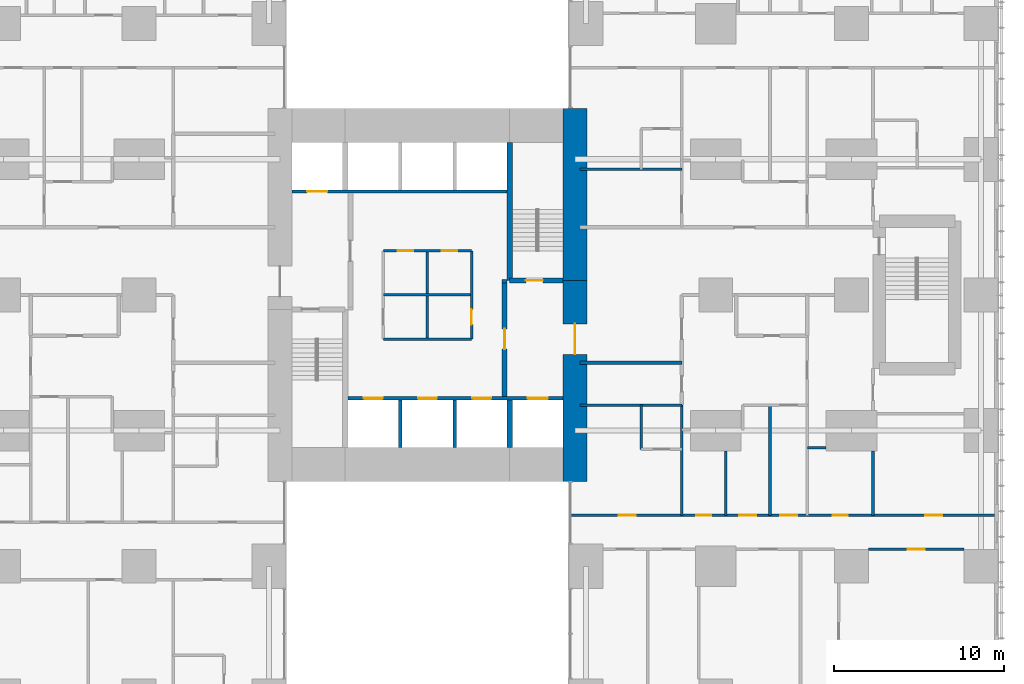
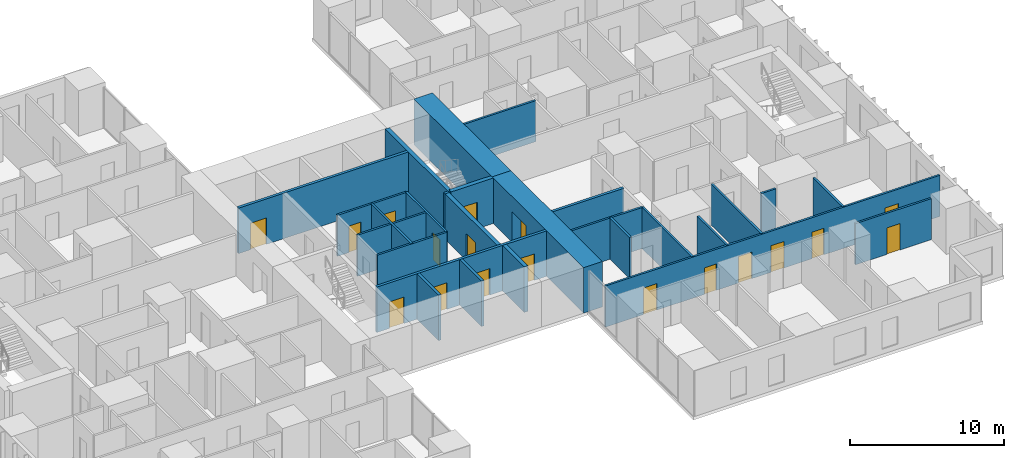
# One storey, part 15 of 20: 27 walls, 18 doors, 18 openings.
"""IFC4 building model written with IfcOpenShell, lengths in metres."""

from ifc_helpers import new_model, si_unit, direction, frame, frame_2d, origin, place, context, subcontext, project, spatial, rectangle, extrude, material, layer, layer_set, type_object, element, fill, save


model = new_model("IFC4")

# Units and contexts
model_context = context("Model", 3, precision=1e-05, world=origin(), true_north=direction((0.0, 1.0)))
body_context = subcontext(model_context, "Body", "Model", "MODEL_VIEW")
ifc_project = project(units=[si_unit("LENGTHUNIT", "METRE"), si_unit("AREAUNIT", "SQUARE_METRE"), si_unit("VOLUMEUNIT", "CUBIC_METRE"), si_unit("PLANEANGLEUNIT", "RADIAN"), si_unit("MASSUNIT", "GRAM", prefix="KILO")], contexts=[model_context])

# Site, building, storey
site_placement = place(None, origin())
site = spatial("IfcSite", under=ifc_project, at=site_placement, CompositionType="ELEMENT")
building_placement = place(site_placement, origin())
building = spatial("IfcBuilding", under=site, at=building_placement, Name="Cleftline Residences", CompositionType="ELEMENT")
storey_placement = place(building_placement, frame((0.0, 0.0, 168.199951171875)))
storey = spatial("IfcBuildingStorey", under=building, at=storey_placement, Name="L44", CompositionType="ELEMENT", Elevation=168.199951171875)

# Wall, opening, door
ifc_material_1 = material(Name="Concrete B70", Category="concrete")
ifc_layer_1 = layer(ifc_material_1, 1.39990234375)
ifc_layer_set_1 = layer_set([ifc_layer_1], Name="CORE WALL 1400")
wall_type_1 = type_object("IfcWallType", Name="CORE WALL 1400", PredefinedType="SHEAR", material=ifc_layer_set_1)
wall_1_placement = place(storey_placement, frame((41.699951171875, 13.0, 0.0), z_axis=(0.0, 0.0, 1.0), x_axis=(0.0, 1.0, 0.0)))
wall_1 = element("IfcWall", 1, at=wall_1_placement, inside=storey, type_object=wall_type_1, Name="Core wall E", PredefinedType="SHEAR", context=body_context, shape_type="SweptSolid", body=[
    extrude(rectangle(XDim=11.85009765625, YDim=1.39990234375, at=frame_2d((5.925048828125, 0.0))), origin(), (0.0, 0.0, 1.0), 3.60009765625),
])
opening_1_placement = place(wall_1_placement, frame((7.5, 0.0, 0.0)))
opening_1 = element("IfcOpeningElement", 2, at=opening_1_placement, cuts=wall_1, Name="Opening D7", PredefinedType="OPENING", context=body_context, shape_type="SweptSolid", body=[
    extrude(rectangle(XDim=1.800048828125, YDim=2.39990234375, at=frame_2d((0.89990234375, 1.199951171875))), frame((0.0, 0.7099609375, 0.0), z_axis=(0.0, -1.0, 0.0), x_axis=(1.0, 0.0, 0.0)), (0.0, 0.0, 1.0), 1.419921875),
])
ifc_material_2 = material(Name="Steel", Category="steel")
door_type_1 = type_object("IfcDoorType", Name="WING DOOR 1800X2400", OperationType="DOUBLE_DOOR_DOUBLE_SWING", PredefinedType="DOOR", material=ifc_material_2)
door_1_placement = place(opening_1_placement, origin())
door_1 = element("IfcDoor", 3, at=door_1_placement, inside=storey, type_object=door_type_1, Name="East wing door", OperationType="DOUBLE_DOOR_DOUBLE_SWING", OverallHeight=2.39990234375, OverallWidth=1.800048828125, PredefinedType="DOOR", context=body_context, shape_type="SweptSolid", body=[
    extrude(rectangle(XDim=1.800048828125, YDim=2.39990234375, at=frame_2d((0.89990234375, 1.199951171875))), frame((0.0, 0.02490234375, 0.0), z_axis=(0.0, -1.0, 0.0), x_axis=(1.0, 0.0, 0.0)), (0.0, 0.0, 1.0), 0.050048828125),
])
fill(opening_1, door_1)

# Walls
wall_2_placement = place(storey_placement, frame((41.699951171875, 24.85009765625, 0.0), z_axis=(0.0, 0.0, 1.0), x_axis=(0.0, 1.0, 0.0)))
element("IfcWall", 4, at=wall_2_placement, inside=storey, type_object=wall_type_1, Name="Core wall E1", PredefinedType="SHEAR", context=body_context, shape_type="SweptSolid", body=[
    extrude(rectangle(XDim=10.14990234375, YDim=1.39990234375, at=frame_2d((5.074951171875, 0.0))), origin(), (0.0, 0.0, 1.0), 3.60009765625),
])
ifc_material_3 = material(Name="Concrete B70", Category="concrete")
ifc_layer_2 = layer(ifc_material_3, 0.300048828125)
ifc_layer_set_2 = layer_set([ifc_layer_2], Name="CORE WALL 300")
wall_type_2 = type_object("IfcWallType", Name="CORE WALL 300", PredefinedType="SHEAR", material=ifc_layer_set_2)
wall_3_placement = place(storey_placement, frame((37.85009765625, 24.85009765625, 0.0), z_axis=(0.0, 0.0, 1.0), x_axis=(0.0, 1.0, 0.0)))
element("IfcWall", 5, at=wall_3_placement, inside=storey, type_object=wall_type_2, Name="Core wall SB-W", PredefinedType="SHEAR", context=body_context, shape_type="SweptSolid", body=[
    extrude(rectangle(XDim=8.14990234375, YDim=0.300048828125, at=frame_2d((4.074951171875, 0.0))), origin(), (0.0, 0.0, 1.0), 3.60009765625),
])

# Wall, opening, door
wall_4_placement = place(storey_placement, frame((37.85009765625, 24.85009765625, 0.0), z_axis=(0.0, 0.0, 1.0), x_axis=(1.0, 0.0, 0.0)))
wall_4 = element("IfcWall", 6, at=wall_4_placement, inside=storey, type_object=wall_type_2, Name="Core wall SB-S", PredefinedType="SHEAR", context=body_context, shape_type="SweptSolid", body=[
    extrude(rectangle(XDim=3.14990234375, YDim=0.300048828125, at=frame_2d((1.574951171875, 0.0))), origin(), (0.0, 0.0, 1.0), 3.60009765625),
])
opening_2_placement = place(wall_4_placement, frame((0.949951171875, 0.0, 0.0)))
opening_2 = element("IfcOpeningElement", 7, at=opening_2_placement, cuts=wall_4, Name="Opening D5", PredefinedType="OPENING", context=body_context, shape_type="SweptSolid", body=[
    extrude(rectangle(XDim=1.0, YDim=2.10009765625, at=frame_2d((0.5, 1.050048828125))), frame((0.0, 0.159912109375, 0.0), z_axis=(0.0, -1.0, 0.0), x_axis=(1.0, 0.0, 0.0)), (0.0, 0.0, 1.0), 0.320068359375),
])
ifc_material_4 = material(Name="Steel", Category="steel")
door_type_2 = type_object("IfcDoorType", Name="STAIR DOOR 1000X2100", OperationType="SINGLE_SWING_LEFT", PredefinedType="DOOR", material=ifc_material_4)
door_2_placement = place(opening_2_placement, origin())
door_2 = element("IfcDoor", 8, at=door_2_placement, inside=storey, type_object=door_type_2, Name="Stair B door", OperationType="SINGLE_SWING_RIGHT", OverallHeight=2.10009765625, OverallWidth=1.0, PredefinedType="DOOR", context=body_context, shape_type="SweptSolid", body=[
    extrude(rectangle(XDim=1.0, YDim=2.10009765625, at=frame_2d((0.5, 1.050048828125))), frame((0.0, 0.02490234375, 0.0), z_axis=(0.0, -1.0, 0.0), x_axis=(1.0, 0.0, 0.0)), (0.0, 0.0, 1.0), 0.050048828125),
])
fill(opening_2, door_2)

# Walls
wall_5_placement = place(storey_placement, frame((37.85009765625, 15.0, 0.0), z_axis=(0.0, 0.0, 1.0), x_axis=(0.0, 1.0, 0.0)))
element("IfcWall", 9, at=wall_5_placement, inside=storey, type_object=wall_type_2, Name="Lift shaft wall", PredefinedType="SHEAR", context=body_context, shape_type="SweptSolid", body=[
    extrude(rectangle(XDim=2.800048828125, YDim=0.300048828125, at=frame_2d((1.39990234375, 0.0))), origin(), (0.0, 0.0, 1.0), 3.60009765625),
])
ifc_material_5 = material(Name="Concrete blockwork, fire rated", Category="masonry")
ifc_layer_3 = layer(ifc_material_5, 0.199951171875)
ifc_layer_set_3 = layer_set([ifc_layer_3], Name="FIRE WALL 200")
wall_type_3 = type_object("IfcWallType", Name="FIRE WALL 200", PredefinedType="PARTITIONING", material=ifc_layer_set_3)
wall_6_placement = place(storey_placement, frame((42.0, 20.0, 0.0), z_axis=(0.0, 0.0, 1.0), x_axis=(1.0, 0.0, 0.0)))
element("IfcWall", 10, at=wall_6_placement, inside=storey, type_object=wall_type_3, Name="Fire separating wall", PredefinedType="PARTITIONING", context=body_context, shape_type="SweptSolid", body=[
    extrude(rectangle(XDim=6.0, YDim=0.199951171875, at=frame_2d((3.0, 0.0))), origin(), (0.0, 0.0, 1.0), 3.25),
])
wall_7_placement = place(storey_placement, frame((37.39990234375, 24.800048828125, 0.0), z_axis=(0.0, 0.0, 1.0), x_axis=(1.0, 0.0, 0.0)))
element("IfcWall", 11, at=wall_7_placement, inside=storey, type_object=wall_type_3, Name="Fire separating wall", PredefinedType="PARTITIONING", context=body_context, shape_type="SweptSolid", body=[
    extrude(rectangle(XDim=0.300048828125, YDim=0.199951171875, at=frame_2d((0.14990234375, 0.0))), origin(), (0.0, 0.0, 1.0), 3.60009765625),
])

# Wall, opening, door
ifc_material_6 = material(Name="Gypsum board on steel studs", Category="steel")
ifc_layer_4 = layer(ifc_material_6, 0.14990234375)
ifc_layer_set_4 = layer_set([ifc_layer_4], Name="PARTITION 150")
wall_type_4 = type_object("IfcWallType", Name="PARTITION 150", PredefinedType="PARTITIONING", material=ifc_layer_set_4)
wall_8_placement = place(storey_placement, frame((59.0, 9.0, 0.0), z_axis=(0.0, 0.0, 1.0), x_axis=(1.0, 0.0, 0.0)))
wall_8 = element("IfcWall", 12, at=wall_8_placement, inside=storey, type_object=wall_type_4, Name="Partition", PredefinedType="PARTITIONING", context=body_context, shape_type="SweptSolid", body=[
    extrude(rectangle(XDim=5.64990234375, YDim=0.14990234375, at=frame_2d((2.824951171875, 0.0))), origin(), (0.0, 0.0, 1.0), 3.25),
])
opening_3_placement = place(wall_8_placement, frame((2.324951171875, 0.0, 0.0)))
opening_3 = element("IfcOpeningElement", 13, at=opening_3_placement, cuts=wall_8, Name="Opening D2", PredefinedType="OPENING", context=body_context, shape_type="SweptSolid", body=[
    extrude(rectangle(XDim=1.0, YDim=2.10009765625, at=frame_2d((0.5, 1.050048828125))), frame((0.0, 0.0849609375, 0.0), z_axis=(0.0, -1.0, 0.0), x_axis=(1.0, 0.0, 0.0)), (0.0, 0.0, 1.0), 0.169921875),
])
ifc_material_7 = material(Name="Timber veneer on solid core", Category="wood")
door_type_3 = type_object("IfcDoorType", Name="DOOR 1000X2100", OperationType="SINGLE_SWING_LEFT", PredefinedType="DOOR", material=ifc_material_7)
door_3_placement = place(opening_3_placement, origin())
door_3 = element("IfcDoor", 14, at=door_3_placement, inside=storey, type_object=door_type_3, Name="Door to sea-view living room", OperationType="SINGLE_SWING_LEFT", OverallHeight=2.10009765625, OverallWidth=1.0, PredefinedType="DOOR", context=body_context, shape_type="SweptSolid", body=[
    extrude(rectangle(XDim=1.0, YDim=2.10009765625, at=frame_2d((0.5, 1.050048828125))), frame((0.0, 0.02490234375, 0.0), z_axis=(0.0, -1.0, 0.0), x_axis=(1.0, 0.0, 0.0)), (0.0, 0.0, 1.0), 0.050048828125),
])
fill(opening_3, door_3)

# Wall, openings, doors
wall_9_placement = place(storey_placement, frame((41.43896484375, 11.0, 0.0), z_axis=(0.0, 0.0, 1.0), x_axis=(1.0, 0.0, 0.0)))
wall_9 = element("IfcWall", 15, at=wall_9_placement, inside=storey, type_object=wall_type_4, Name="Partition", PredefinedType="PARTITIONING", context=body_context, shape_type="SweptSolid", body=[
    extrude(rectangle(XDim=25.010986328125, YDim=0.14990234375, at=frame_2d((12.50537109375, 0.0))), origin(), (0.0, 0.0, 1.0), 3.25),
])
opening_4_placement = place(wall_9_placement, frame((12.361083984375, 0.0, 0.0)))
opening_4 = element("IfcOpeningElement", 16, at=opening_4_placement, cuts=wall_9, Name="Opening D2F30", PredefinedType="OPENING", context=body_context, shape_type="SweptSolid", body=[
    extrude(rectangle(XDim=1.0, YDim=2.10009765625, at=frame_2d((0.5, 1.050048828125))), frame((0.0, 0.0849609375, 0.0), z_axis=(0.0, -1.0, 0.0), x_axis=(1.0, 0.0, 0.0)), (0.0, 0.0, 1.0), 0.169921875),
])
opening_5_placement = place(wall_9_placement, frame((20.923583984375, 0.0, 0.0)))
opening_5 = element("IfcOpeningElement", 17, at=opening_5_placement, cuts=wall_9, Name="Opening D2F30", PredefinedType="OPENING", context=body_context, shape_type="SweptSolid", body=[
    extrude(rectangle(XDim=1.0, YDim=2.10009765625, at=frame_2d((0.5, 1.050048828125))), frame((0.0, 0.0849609375, 0.0), z_axis=(0.0, -1.0, 0.0), x_axis=(1.0, 0.0, 0.0)), (0.0, 0.0, 1.0), 0.169921875),
])
opening_6_placement = place(wall_9_placement, frame((15.448486328125, 0.0, 0.0)))
opening_6 = element("IfcOpeningElement", 18, at=opening_6_placement, cuts=wall_9, Name="Opening D1F30", PredefinedType="OPENING", context=body_context, shape_type="SweptSolid", body=[
    extrude(rectangle(XDim=0.89990234375, YDim=2.10009765625, at=frame_2d((0.449951171875, 1.050048828125))), frame((0.0, 0.0849609375, 0.0), z_axis=(0.0, -1.0, 0.0), x_axis=(1.0, 0.0, 0.0)), (0.0, 0.0, 1.0), 0.169921875),
])
opening_7_placement = place(wall_9_placement, frame((9.9609375, 0.0, 0.0)))
opening_7 = element("IfcOpeningElement", 19, at=opening_7_placement, cuts=wall_9, Name="Opening D2F30", PredefinedType="OPENING", context=body_context, shape_type="SweptSolid", body=[
    extrude(rectangle(XDim=1.0, YDim=2.10009765625, at=frame_2d((0.5, 1.050048828125))), frame((0.0, 0.0849609375, 0.0), z_axis=(0.0, -1.0, 0.0), x_axis=(1.0, 0.0, 0.0)), (0.0, 0.0, 1.0), 0.169921875),
])
opening_8_placement = place(wall_9_placement, frame((7.410888671875, 0.0, 0.0)))
opening_8 = element("IfcOpeningElement", 20, at=opening_8_placement, cuts=wall_9, Name="Opening D1F30", PredefinedType="OPENING", context=body_context, shape_type="SweptSolid", body=[
    extrude(rectangle(XDim=0.89990234375, YDim=2.10009765625, at=frame_2d((0.449951171875, 1.050048828125))), frame((0.0, 0.0849609375, 0.0), z_axis=(0.0, -1.0, 0.0), x_axis=(1.0, 0.0, 0.0)), (0.0, 0.0, 1.0), 0.169921875),
])
opening_9_placement = place(wall_9_placement, frame((2.8359375, 0.0, 0.0)))
opening_9 = element("IfcOpeningElement", 21, at=opening_9_placement, cuts=wall_9, Name="Opening D2F30", PredefinedType="OPENING", context=body_context, shape_type="SweptSolid", body=[
    extrude(rectangle(XDim=1.0, YDim=2.10009765625, at=frame_2d((0.5, 1.050048828125))), frame((0.0, 0.0849609375, 0.0), z_axis=(0.0, -1.0, 0.0), x_axis=(1.0, 0.0, 0.0)), (0.0, 0.0, 1.0), 0.169921875),
])
ifc_material_8 = material(Name="Timber veneer on solid core", Category="wood")
door_type_4 = type_object("IfcDoorType", Name="DOOR 1000X2100 EI 30", OperationType="SINGLE_SWING_LEFT", PredefinedType="DOOR", material=ifc_material_8)
door_4_placement = place(opening_4_placement, origin())
door_4 = element("IfcDoor", 22, at=door_4_placement, inside=storey, type_object=door_type_4, Name="Door to residence hall (gallery)", OperationType="SINGLE_SWING_LEFT", OverallHeight=2.10009765625, OverallWidth=1.0, PredefinedType="DOOR", context=body_context, shape_type="SweptSolid", body=[
    extrude(rectangle(XDim=1.0, YDim=2.10009765625, at=frame_2d((0.5, 1.050048828125))), frame((0.0, 0.02490234375, 0.0), z_axis=(0.0, -1.0, 0.0), x_axis=(1.0, 0.0, 0.0)), (0.0, 0.0, 1.0), 0.050048828125),
])
fill(opening_4, door_4)
door_5_placement = place(opening_5_placement, origin())
door_5 = element("IfcDoor", 23, at=door_5_placement, inside=storey, type_object=door_type_4, Name="Door to altar room", OperationType="SINGLE_SWING_LEFT", OverallHeight=2.10009765625, OverallWidth=1.0, PredefinedType="DOOR", context=body_context, shape_type="SweptSolid", body=[
    extrude(rectangle(XDim=1.0, YDim=2.10009765625, at=frame_2d((0.5, 1.050048828125))), frame((0.0, 0.02490234375, 0.0), z_axis=(0.0, -1.0, 0.0), x_axis=(1.0, 0.0, 0.0)), (0.0, 0.0, 1.0), 0.050048828125),
])
fill(opening_5, door_5)
door_6_placement = place(opening_7_placement, origin())
door_6 = element("IfcDoor", 24, at=door_6_placement, inside=storey, type_object=door_type_4, Name="Door to wet kitchen", OperationType="SINGLE_SWING_RIGHT", OverallHeight=2.10009765625, OverallWidth=1.0, PredefinedType="DOOR", context=body_context, shape_type="SweptSolid", body=[
    extrude(rectangle(XDim=1.0, YDim=2.10009765625, at=frame_2d((0.5, 1.050048828125))), frame((0.0, 0.02490234375, 0.0), z_axis=(0.0, -1.0, 0.0), x_axis=(1.0, 0.0, 0.0)), (0.0, 0.0, 1.0), 0.050048828125),
])
fill(opening_7, door_6)
door_7_placement = place(opening_9_placement, origin())
door_7 = element("IfcDoor", 25, at=door_7_placement, inside=storey, type_object=door_type_4, Name="Door to staff bedroom", OperationType="SINGLE_SWING_RIGHT", OverallHeight=2.10009765625, OverallWidth=1.0, PredefinedType="DOOR", context=body_context, shape_type="SweptSolid", body=[
    extrude(rectangle(XDim=1.0, YDim=2.10009765625, at=frame_2d((0.5, 1.050048828125))), frame((0.0, 0.02490234375, 0.0), z_axis=(0.0, -1.0, 0.0), x_axis=(1.0, 0.0, 0.0)), (0.0, 0.0, 1.0), 0.050048828125),
])
fill(opening_9, door_7)
ifc_material_9 = material(Name="Timber veneer on solid core", Category="wood")
door_type_5 = type_object("IfcDoorType", Name="DOOR 900X2100 EI 30", OperationType="SINGLE_SWING_LEFT", PredefinedType="DOOR", material=ifc_material_9)
door_8_placement = place(opening_6_placement, origin())
door_8 = element("IfcDoor", 26, at=door_8_placement, inside=storey, type_object=door_type_5, Name="Door to store room", OperationType="SINGLE_SWING_LEFT", OverallHeight=2.10009765625, OverallWidth=0.89990234375, PredefinedType="DOOR", context=body_context, shape_type="SweptSolid", body=[
    extrude(rectangle(XDim=0.89990234375, YDim=2.10009765625, at=frame_2d((0.449951171875, 1.050048828125))), frame((0.0, 0.02490234375, 0.0), z_axis=(0.0, -1.0, 0.0), x_axis=(1.0, 0.0, 0.0)), (0.0, 0.0, 1.0), 0.050048828125),
])
fill(opening_6, door_8)
door_9_placement = place(opening_8_placement, origin())
door_9 = element("IfcDoor", 27, at=door_9_placement, inside=storey, type_object=door_type_5, Name="Door to pantry", OperationType="SINGLE_SWING_RIGHT", OverallHeight=2.10009765625, OverallWidth=0.89990234375, PredefinedType="DOOR", context=body_context, shape_type="SweptSolid", body=[
    extrude(rectangle(XDim=0.89990234375, YDim=2.10009765625, at=frame_2d((0.449951171875, 1.050048828125))), frame((0.0, 0.02490234375, 0.0), z_axis=(0.0, -1.0, 0.0), x_axis=(1.0, 0.0, 0.0)), (0.0, 0.0, 1.0), 0.050048828125),
])
fill(opening_8, door_9)

# Walls
wall_10_placement = place(storey_placement, frame((55.39990234375, 15.0, 0.0), z_axis=(0.0, 0.0, 1.0), x_axis=(1.0, 0.0, 0.0)))
element("IfcWall", 28, at=wall_10_placement, inside=storey, type_object=wall_type_4, Name="Partition", PredefinedType="PARTITIONING", context=body_context, shape_type="SweptSolid", body=[
    extrude(rectangle(XDim=1.10009765625, YDim=0.14990234375, at=frame_2d((0.550048828125, 0.0))), origin(), (0.0, 0.0, 1.0), 3.25),
])
for number, where, z_axis, x_axis, name in (
    (29, (42.0, 17.5, 0.0), (0.0, 0.0, 1.0), (1.0, 0.0, 0.0), "Partition"),
    (30, (42.0, 31.39990234375, 0.0), (0.0, 0.0, 1.0), (1.0, 0.0, 0.0), "Partition"),
):
    element("IfcWall", number, at=place(storey_placement, frame(where, z_axis=z_axis, x_axis=x_axis)), inside=storey, type_object=wall_type_4, Name=name, PredefinedType="PARTITIONING", context=body_context, shape_type="SweptSolid", body=[
        extrude(rectangle(XDim=6.0, YDim=0.14990234375, at=frame_2d((3.0, 0.0))), origin(), (0.0, 0.0, 1.0), 3.25),
    ])
wall_11_placement = place(storey_placement, frame((45.60009765625, 14.89990234375, 0.0), z_axis=(0.0, 0.0, 1.0), x_axis=(0.0, 1.0, 0.0)))
element("IfcWall", 31, at=wall_11_placement, inside=storey, type_object=wall_type_4, Name="Partition", PredefinedType="PARTITIONING", context=body_context, shape_type="SweptSolid", body=[
    extrude(rectangle(XDim=2.60009765625, YDim=0.14990234375, at=frame_2d((1.300048828125, 0.0))), origin(), (0.0, 0.0, 1.0), 3.25),
])
wall_12_placement = place(storey_placement, frame((48.0, 11.0, 0.0), z_axis=(0.0, 0.0, 1.0), x_axis=(0.0, 1.0, 0.0)))
element("IfcWall", 32, at=wall_12_placement, inside=storey, type_object=wall_type_4, Name="Partition", PredefinedType="PARTITIONING", context=body_context, shape_type="SweptSolid", body=[
    extrude(rectangle(XDim=6.5, YDim=0.14990234375, at=frame_2d((3.25, 0.0))), origin(), (0.0, 0.0, 1.0), 3.25),
])
wall_13_placement = place(storey_placement, frame((50.60009765625, 11.0, 0.0), z_axis=(0.0, 0.0, 1.0), x_axis=(0.0, 1.0, 0.0)))
element("IfcWall", 33, at=wall_13_placement, inside=storey, type_object=wall_type_4, Name="Partition", PredefinedType="PARTITIONING", context=body_context, shape_type="SweptSolid", body=[
    extrude(rectangle(XDim=3.800048828125, YDim=0.14990234375, at=frame_2d((1.89990234375, 0.0))), origin(), (0.0, 0.0, 1.0), 3.25),
])
wall_14_placement = place(storey_placement, frame((53.199951171875, 11.0, 0.0), z_axis=(0.0, 0.0, 1.0), x_axis=(0.0, 1.0, 0.0)))
element("IfcWall", 34, at=wall_14_placement, inside=storey, type_object=wall_type_4, Name="Partition", PredefinedType="PARTITIONING", context=body_context, shape_type="SweptSolid", body=[
    extrude(rectangle(XDim=6.5, YDim=0.14990234375, at=frame_2d((3.25, 0.0))), origin(), (0.0, 0.0, 1.0), 3.25),
])
wall_15_placement = place(storey_placement, frame((59.27490234375, 11.0, 0.0), z_axis=(0.0, 0.0, 1.0), x_axis=(0.0, 1.0, 0.0)))
element("IfcWall", 35, at=wall_15_placement, inside=storey, type_object=wall_type_4, Name="Partition", PredefinedType="PARTITIONING", context=body_context, shape_type="SweptSolid", body=[
    extrude(rectangle(XDim=3.800048828125, YDim=0.14990234375, at=frame_2d((1.89990234375, 0.0))), origin(), (0.0, 0.0, 1.0), 3.25),
])
ifc_material_10 = material(Name="Fire-resisting gypsum board on steel studs", Category="steel")
ifc_layer_5 = layer(ifc_material_10, 0.14990234375)
ifc_layer_set_5 = layer_set([ifc_layer_5], Name="PARTITION 150 EI 60")
wall_type_5 = type_object("IfcWallType", Name="PARTITION 150 EI 60", PredefinedType="PARTITIONING", material=ifc_layer_set_5)
wall_16_placement = place(storey_placement, frame((30.39990234375, 21.39990234375, 0.0), z_axis=(0.0, 0.0, 1.0), x_axis=(1.0, 0.0, 0.0)))
element("IfcWall", 36, at=wall_16_placement, inside=storey, type_object=wall_type_5, Name="Core room partition", PredefinedType="PARTITIONING", context=body_context, shape_type="SweptSolid", body=[
    extrude(rectangle(XDim=5.2001953125, YDim=0.14990234375, at=frame_2d((2.60009765625, 0.0))), origin(), (0.0, 0.0, 1.0), 3.25),
])

# Wall, openings, doors
wall_17_placement = place(storey_placement, frame((30.39990234375, 26.60009765625, 0.0), z_axis=(0.0, 0.0, 1.0), x_axis=(1.0, 0.0, 0.0)))
wall_17 = element("IfcWall", 37, at=wall_17_placement, inside=storey, type_object=wall_type_5, Name="Core room partition", PredefinedType="PARTITIONING", context=body_context, shape_type="SweptSolid", body=[
    extrude(rectangle(XDim=5.2001953125, YDim=0.14990234375, at=frame_2d((2.60009765625, 0.0))), origin(), (0.0, 0.0, 1.0), 3.25),
])
opening_10_placement = place(wall_17_placement, frame((0.85009765625, 0.0, 0.0)))
opening_10 = element("IfcOpeningElement", 38, at=opening_10_placement, cuts=wall_17, Name="Opening D1F30", PredefinedType="OPENING", context=body_context, shape_type="SweptSolid", body=[
    extrude(rectangle(XDim=0.89990234375, YDim=2.10009765625, at=frame_2d((0.449951171875, 1.050048828125))), frame((0.0, 0.0849609375, 0.0), z_axis=(0.0, -1.0, 0.0), x_axis=(1.0, 0.0, 0.0)), (0.0, 0.0, 1.0), 0.169921875),
])
opening_11_placement = place(wall_17_placement, frame((3.449951171875, 0.0, 0.0)))
opening_11 = element("IfcOpeningElement", 39, at=opening_11_placement, cuts=wall_17, Name="Opening D1F30", PredefinedType="OPENING", context=body_context, shape_type="SweptSolid", body=[
    extrude(rectangle(XDim=0.89990234375, YDim=2.10009765625, at=frame_2d((0.449951171875, 1.050048828125))), frame((0.0, 0.0849609375, 0.0), z_axis=(0.0, -1.0, 0.0), x_axis=(1.0, 0.0, 0.0)), (0.0, 0.0, 1.0), 0.169921875),
])
door_10_placement = place(opening_10_placement, origin())
door_10 = element("IfcDoor", 40, at=door_10_placement, inside=storey, type_object=door_type_5, Name="Door to linen store", OperationType="SINGLE_SWING_RIGHT", OverallHeight=2.10009765625, OverallWidth=0.89990234375, PredefinedType="DOOR", context=body_context, shape_type="SweptSolid", body=[
    extrude(rectangle(XDim=0.89990234375, YDim=2.10009765625, at=frame_2d((0.449951171875, 1.050048828125))), frame((0.0, 0.02490234375, 0.0), z_axis=(0.0, -1.0, 0.0), x_axis=(1.0, 0.0, 0.0)), (0.0, 0.0, 1.0), 0.050048828125),
])
fill(opening_10, door_10)
door_11_placement = place(opening_11_placement, origin())
door_11 = element("IfcDoor", 41, at=door_11_placement, inside=storey, type_object=door_type_5, Name="Door to guest pantry", OperationType="SINGLE_SWING_LEFT", OverallHeight=2.10009765625, OverallWidth=0.89990234375, PredefinedType="DOOR", context=body_context, shape_type="SweptSolid", body=[
    extrude(rectangle(XDim=0.89990234375, YDim=2.10009765625, at=frame_2d((0.449951171875, 1.050048828125))), frame((0.0, 0.02490234375, 0.0), z_axis=(0.0, -1.0, 0.0), x_axis=(1.0, 0.0, 0.0)), (0.0, 0.0, 1.0), 0.050048828125),
])
fill(opening_11, door_11)

# Wall, opening, door
wall_18_placement = place(storey_placement, frame((35.60009765625, 21.39990234375, 0.0), z_axis=(0.0, 0.0, 1.0), x_axis=(0.0, 1.0, 0.0)))
wall_18 = element("IfcWall", 42, at=wall_18_placement, inside=storey, type_object=wall_type_5, Name="Core room partition", PredefinedType="PARTITIONING", context=body_context, shape_type="SweptSolid", body=[
    extrude(rectangle(XDim=5.2001953125, YDim=0.14990234375, at=frame_2d((2.60009765625, 0.0))), origin(), (0.0, 0.0, 1.0), 3.25),
])
opening_12_placement = place(wall_18_placement, frame((0.85009765625, 0.0, 0.0)))
opening_12 = element("IfcOpeningElement", 43, at=opening_12_placement, cuts=wall_18, Name="Opening D1F30", PredefinedType="OPENING", context=body_context, shape_type="SweptSolid", body=[
    extrude(rectangle(XDim=0.89990234375, YDim=2.10009765625, at=frame_2d((0.449951171875, 1.050048828125))), frame((0.0, 0.0849609375, 0.0), z_axis=(0.0, -1.0, 0.0), x_axis=(1.0, 0.0, 0.0)), (0.0, 0.0, 1.0), 0.169921875),
])
door_12_placement = place(opening_12_placement, origin())
door_12 = element("IfcDoor", 44, at=door_12_placement, inside=storey, type_object=door_type_5, Name="Door to housekeeping store", OperationType="SINGLE_SWING_RIGHT", OverallHeight=2.10009765625, OverallWidth=0.89990234375, PredefinedType="DOOR", context=body_context, shape_type="SweptSolid", body=[
    extrude(rectangle(XDim=0.89990234375, YDim=2.10009765625, at=frame_2d((0.449951171875, 1.050048828125))), frame((0.0, 0.02490234375, 0.0), z_axis=(0.0, -1.0, 0.0), x_axis=(1.0, 0.0, 0.0)), (0.0, 0.0, 1.0), 0.050048828125),
])
fill(opening_12, door_12)

# Walls
for number, where, z_axis, x_axis, name in (
    (45, (30.39990234375, 24.0, 0.0), (0.0, 0.0, 1.0), (1.0, 0.0, 0.0), "Core room partition"),
    (46, (33.0, 21.39990234375, 0.0), (0.0, 0.0, 1.0), (0.0, 1.0, 0.0), "Core room partition"),
):
    element("IfcWall", number, at=place(storey_placement, frame(where, z_axis=z_axis, x_axis=x_axis)), inside=storey, type_object=wall_type_5, Name=name, PredefinedType="PARTITIONING", context=body_context, shape_type="SweptSolid", body=[
        extrude(rectangle(XDim=5.2001953125, YDim=0.14990234375, at=frame_2d((2.60009765625, 0.0))), origin(), (0.0, 0.0, 1.0), 3.25),
    ])

# Wall, openings, doors
ifc_material_11 = material(Name="Concrete blockwork, fire rated", Category="masonry")
ifc_layer_6 = layer(ifc_material_11, 0.199951171875)
ifc_layer_set_6 = layer_set([ifc_layer_6], Name="SHAFT WALL 200")
wall_type_6 = type_object("IfcWallType", Name="SHAFT WALL 200", PredefinedType="PARTITIONING", material=ifc_layer_set_6)
wall_19_placement = place(storey_placement, frame((28.300048828125, 17.89990234375, 0.0), z_axis=(0.0, 0.0, 1.0), x_axis=(1.0, 0.0, 0.0)))
wall_19 = element("IfcWall", 47, at=wall_19_placement, inside=storey, type_object=wall_type_6, Name="Lift shaft wall", PredefinedType="PARTITIONING", context=body_context, shape_type="SweptSolid", body=[
    extrude(rectangle(XDim=12.699951171875, YDim=0.199951171875, at=frame_2d((6.35009765625, 0.0))), origin(), (0.0, 0.0, 1.0), 3.60009765625),
])
opening_13_placement = place(wall_19_placement, frame((0.949951171875, 0.0, 0.0)))
opening_13 = element("IfcOpeningElement", 48, at=opening_13_placement, cuts=wall_19, Name="Opening LD1", PredefinedType="OPENING", context=body_context, shape_type="SweptSolid", body=[
    extrude(rectangle(XDim=1.10009765625, YDim=2.10009765625, at=frame_2d((0.550048828125, 1.050048828125))), frame((0.0, 0.10986328125, 0.0), z_axis=(0.0, -1.0, 0.0), x_axis=(1.0, 0.0, 0.0)), (0.0, 0.0, 1.0), 0.219970703125),
])
opening_14_placement = place(wall_19_placement, frame((4.14990234375, 0.0, 0.0)))
opening_14 = element("IfcOpeningElement", 49, at=opening_14_placement, cuts=wall_19, Name="Opening LD1", PredefinedType="OPENING", context=body_context, shape_type="SweptSolid", body=[
    extrude(rectangle(XDim=1.10009765625, YDim=2.10009765625, at=frame_2d((0.550048828125, 1.050048828125))), frame((0.0, 0.10986328125, 0.0), z_axis=(0.0, -1.0, 0.0), x_axis=(1.0, 0.0, 0.0)), (0.0, 0.0, 1.0), 0.219970703125),
])
opening_15_placement = place(wall_19_placement, frame((7.35009765625, 0.0, 0.0)))
opening_15 = element("IfcOpeningElement", 50, at=opening_15_placement, cuts=wall_19, Name="Opening LD1", PredefinedType="OPENING", context=body_context, shape_type="SweptSolid", body=[
    extrude(rectangle(XDim=1.10009765625, YDim=2.10009765625, at=frame_2d((0.550048828125, 1.050048828125))), frame((0.0, 0.10986328125, 0.0), z_axis=(0.0, -1.0, 0.0), x_axis=(1.0, 0.0, 0.0)), (0.0, 0.0, 1.0), 0.219970703125),
])
opening_16_placement = place(wall_19_placement, frame((10.60009765625, 0.0, 0.0)))
opening_16 = element("IfcOpeningElement", 51, at=opening_16_placement, cuts=wall_19, Name="Opening LD2", PredefinedType="OPENING", context=body_context, shape_type="SweptSolid", body=[
    extrude(rectangle(XDim=1.199951171875, YDim=2.10009765625, at=frame_2d((0.60009765625, 1.050048828125))), frame((0.0, 0.10986328125, 0.0), z_axis=(0.0, -1.0, 0.0), x_axis=(1.0, 0.0, 0.0)), (0.0, 0.0, 1.0), 0.219970703125),
])
ifc_material_12 = material(Name="Steel", Category="steel")
door_type_6 = type_object("IfcDoorType", Name="FIREFIGHTING LIFT LANDING DOOR 1200X2100", OperationType="SLIDING_TO_LEFT", PredefinedType="DOOR", material=ifc_material_12)
door_13_placement = place(opening_16_placement, origin())
door_13 = element("IfcDoor", 52, at=door_13_placement, inside=storey, type_object=door_type_6, Name="Lift FL2 landing door", OperationType="SLIDING_TO_LEFT", OverallHeight=2.10009765625, OverallWidth=1.199951171875, PredefinedType="DOOR", context=body_context, shape_type="SweptSolid", body=[
    extrude(rectangle(XDim=1.199951171875, YDim=2.10009765625, at=frame_2d((0.60009765625, 1.050048828125))), frame((0.0, 0.02490234375, 0.0), z_axis=(0.0, -1.0, 0.0), x_axis=(1.0, 0.0, 0.0)), (0.0, 0.0, 1.0), 0.050048828125),
])
fill(opening_16, door_13)
ifc_material_13 = material(Name="Steel", Category="steel")
door_type_7 = type_object("IfcDoorType", Name="LIFT LANDING DOOR 1100X2100", OperationType="SLIDING_TO_LEFT", PredefinedType="DOOR", material=ifc_material_13)
door_14_placement = place(opening_13_placement, origin())
door_14 = element("IfcDoor", 53, at=door_14_placement, inside=storey, type_object=door_type_7, Name="Lift P1 landing door", OperationType="SLIDING_TO_LEFT", OverallHeight=2.10009765625, OverallWidth=1.10009765625, PredefinedType="DOOR", context=body_context, shape_type="SweptSolid", body=[
    extrude(rectangle(XDim=1.10009765625, YDim=2.10009765625, at=frame_2d((0.550048828125, 1.050048828125))), frame((0.0, 0.02490234375, 0.0), z_axis=(0.0, -1.0, 0.0), x_axis=(1.0, 0.0, 0.0)), (0.0, 0.0, 1.0), 0.050048828125),
])
fill(opening_13, door_14)
door_15_placement = place(opening_14_placement, origin())
door_15 = element("IfcDoor", 54, at=door_15_placement, inside=storey, type_object=door_type_7, Name="Lift P2 landing door", OperationType="SLIDING_TO_LEFT", OverallHeight=2.10009765625, OverallWidth=1.10009765625, PredefinedType="DOOR", context=body_context, shape_type="SweptSolid", body=[
    extrude(rectangle(XDim=1.10009765625, YDim=2.10009765625, at=frame_2d((0.550048828125, 1.050048828125))), frame((0.0, 0.02490234375, 0.0), z_axis=(0.0, -1.0, 0.0), x_axis=(1.0, 0.0, 0.0)), (0.0, 0.0, 1.0), 0.050048828125),
])
fill(opening_14, door_15)
door_16_placement = place(opening_15_placement, origin())
door_16 = element("IfcDoor", 55, at=door_16_placement, inside=storey, type_object=door_type_7, Name="Lift P3 landing door", OperationType="SLIDING_TO_LEFT", OverallHeight=2.10009765625, OverallWidth=1.10009765625, PredefinedType="DOOR", context=body_context, shape_type="SweptSolid", body=[
    extrude(rectangle(XDim=1.10009765625, YDim=2.10009765625, at=frame_2d((0.550048828125, 1.050048828125))), frame((0.0, 0.02490234375, 0.0), z_axis=(0.0, -1.0, 0.0), x_axis=(1.0, 0.0, 0.0)), (0.0, 0.0, 1.0), 0.050048828125),
])
fill(opening_15, door_16)

# Wall, opening, door
wall_20_placement = place(storey_placement, frame((25.0, 30.10009765625, 0.0), z_axis=(0.0, 0.0, 1.0), x_axis=(1.0, 0.0, 0.0)))
wall_20 = element("IfcWall", 56, at=wall_20_placement, inside=storey, type_object=wall_type_6, Name="Lift shaft wall", PredefinedType="PARTITIONING", context=body_context, shape_type="SweptSolid", body=[
    extrude(rectangle(XDim=12.699951171875, YDim=0.199951171875, at=frame_2d((6.35009765625, 0.0))), origin(), (0.0, 0.0, 1.0), 3.60009765625),
])
opening_17_placement = place(wall_20_placement, frame((0.89990234375, 0.0, 0.0)))
opening_17 = element("IfcOpeningElement", 57, at=opening_17_placement, cuts=wall_20, Name="Opening LD2", PredefinedType="OPENING", context=body_context, shape_type="SweptSolid", body=[
    extrude(rectangle(XDim=1.199951171875, YDim=2.10009765625, at=frame_2d((0.60009765625, 1.050048828125))), frame((0.0, 0.10986328125, 0.0), z_axis=(0.0, -1.0, 0.0), x_axis=(1.0, 0.0, 0.0)), (0.0, 0.0, 1.0), 0.219970703125),
])
door_17_placement = place(opening_17_placement, origin())
door_17 = element("IfcDoor", 58, at=door_17_placement, inside=storey, type_object=door_type_6, Name="Lift FL1 landing door", OperationType="SLIDING_TO_LEFT", OverallHeight=2.10009765625, OverallWidth=1.199951171875, PredefinedType="DOOR", context=body_context, shape_type="SweptSolid", body=[
    extrude(rectangle(XDim=1.199951171875, YDim=2.10009765625, at=frame_2d((0.60009765625, 1.050048828125))), frame((0.0, 0.02490234375, 0.0), z_axis=(0.0, -1.0, 0.0), x_axis=(1.0, 0.0, 0.0)), (0.0, 0.0, 1.0), 0.050048828125),
])
fill(opening_17, door_17)

# Walls
for number, where, z_axis, x_axis, name in (
    (59, (31.39990234375, 15.0, 0.0), (0.0, 0.0, 1.0), (0.0, 1.0, 0.0), "Lift shaft wall"),
    (60, (34.60009765625, 15.0, 0.0), (0.0, 0.0, 1.0), (0.0, 1.0, 0.0), "Lift shaft wall"),
):
    element("IfcWall", number, at=place(storey_placement, frame(where, z_axis=z_axis, x_axis=x_axis)), inside=storey, type_object=wall_type_6, Name=name, PredefinedType="PARTITIONING", context=body_context, shape_type="SweptSolid", body=[
        extrude(rectangle(XDim=2.800048828125, YDim=0.199951171875, at=frame_2d((1.39990234375, 0.0))), origin(), (0.0, 0.0, 1.0), 3.60009765625),
    ])

# Wall, opening, door
ifc_material_14 = material(Name="Concrete blockwork, fire rated", Category="masonry")
ifc_layer_7 = layer(ifc_material_14, 0.300048828125)
ifc_layer_set_7 = layer_set([ifc_layer_7], Name="STAIR LOBBY WALL 300")
wall_type_7 = type_object("IfcWallType", Name="STAIR LOBBY WALL 300", PredefinedType="PARTITIONING", material=ifc_layer_set_7)
wall_21_placement = place(storey_placement, frame((37.550048828125, 18.0, 0.0), z_axis=(0.0, 0.0, 1.0), x_axis=(0.0, 1.0, 0.0)))
wall_21 = element("IfcWall", 61, at=wall_21_placement, inside=storey, type_object=wall_type_7, Name="Stair and lobby wall FB-W", PredefinedType="PARTITIONING", context=body_context, shape_type="SweptSolid", body=[
    extrude(rectangle(XDim=6.699951171875, YDim=0.300048828125, at=frame_2d((3.35009765625, 0.0))), origin(), (0.0, 0.0, 1.0), 3.60009765625),
])
opening_18_placement = place(wall_21_placement, frame((2.800048828125, 0.0, 0.0)))
opening_18 = element("IfcOpeningElement", 62, at=opening_18_placement, cuts=wall_21, Name="Opening D6", PredefinedType="OPENING", context=body_context, shape_type="SweptSolid", body=[
    extrude(rectangle(XDim=1.199951171875, YDim=2.10009765625, at=frame_2d((0.60009765625, 1.050048828125))), frame((0.0, 0.159912109375, 0.0), z_axis=(0.0, -1.0, 0.0), x_axis=(1.0, 0.0, 0.0)), (0.0, 0.0, 1.0), 0.320068359375),
])
ifc_material_15 = material(Name="Steel", Category="steel")
door_type_8 = type_object("IfcDoorType", Name="LOBBY DOOR 1200X2100", OperationType="SINGLE_SWING_RIGHT", PredefinedType="DOOR", material=ifc_material_15)
door_18_placement = place(opening_18_placement, origin())
door_18 = element("IfcDoor", 63, at=door_18_placement, inside=storey, type_object=door_type_8, Name="Firefighting lobby B door", OperationType="SINGLE_SWING_LEFT", OverallHeight=2.10009765625, OverallWidth=1.199951171875, PredefinedType="DOOR", context=body_context, shape_type="SweptSolid", body=[
    extrude(rectangle(XDim=1.199951171875, YDim=2.10009765625, at=frame_2d((0.60009765625, 1.050048828125))), frame((0.0, 0.02490234375, 0.0), z_axis=(0.0, -1.0, 0.0), x_axis=(1.0, 0.0, 0.0)), (0.0, 0.0, 1.0), 0.050048828125),
])
fill(opening_18, door_18)

save(model, "model.ifc")
